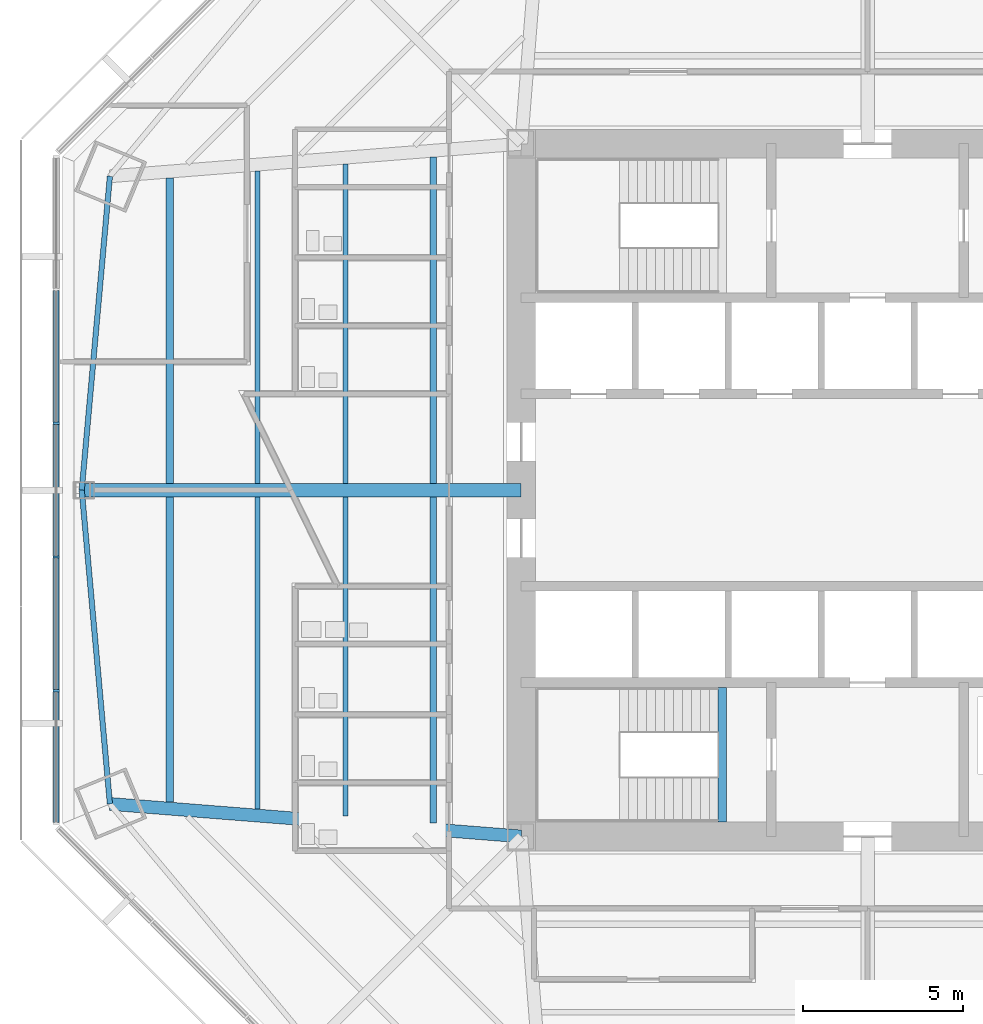
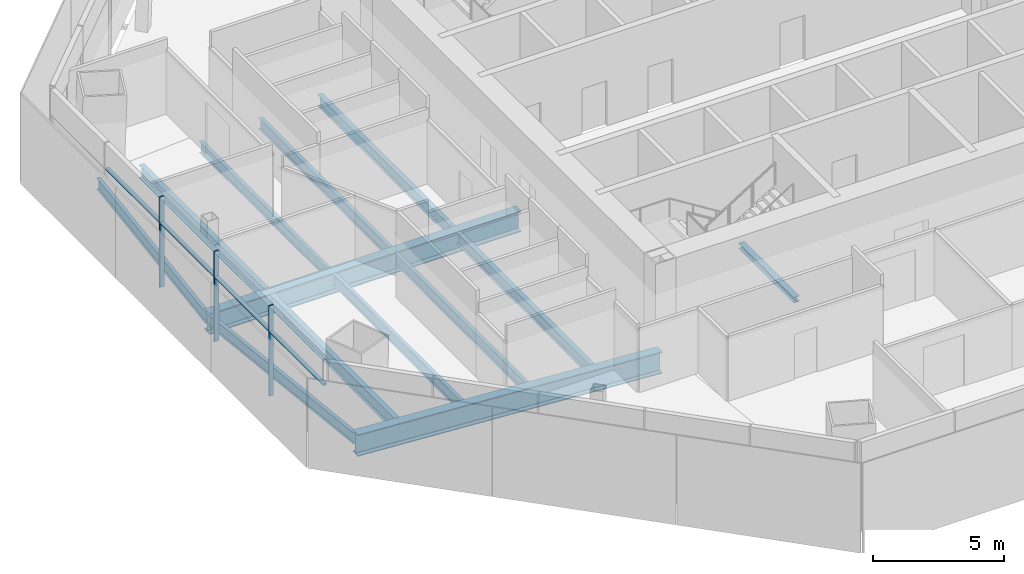
# One storey, part 3 of 16: 13 beams, 7 members, 1 element without a shape of its own.
"""IFC4 building model written with IfcOpenShell, lengths in metres."""

from ifc_helpers import new_model, si_unit, direction, frame, origin, origin_2d, place, context, subcontext, project, spatial, rectangle, i_section, extrude, source, transform, mapped, material, material_profile, profile_set, type_object, type_shapes, element, aggregate, save


model = new_model("IFC4")

# Units and contexts
model_context = context("Model", 3, precision=1e-05, world=origin(), true_north=direction((0.0, 1.0)))
body_context = subcontext(model_context, "Body", "Model", "MODEL_VIEW")
ifc_project = project(units=[si_unit("LENGTHUNIT", "METRE"), si_unit("AREAUNIT", "SQUARE_METRE"), si_unit("VOLUMEUNIT", "CUBIC_METRE"), si_unit("PLANEANGLEUNIT", "RADIAN"), si_unit("MASSUNIT", "GRAM", prefix="KILO")], contexts=[model_context])

# Site, building, storey
site_placement = place(None, origin())
site = spatial("IfcSite", under=ifc_project, at=site_placement, CompositionType="ELEMENT")
building_placement = place(site_placement, origin())
building = spatial("IfcBuilding", under=site, at=building_placement, Name="Mashrafa Tower", CompositionType="ELEMENT")
storey_placement = place(building_placement, frame((0.0, 0.0, 96.0)))
storey = spatial("IfcBuildingStorey", under=building, at=storey_placement, Name="L21", CompositionType="ELEMENT", Elevation=96.0)

# Beams
ifc_material_1 = material(Name="Steel ASTM A992", Category="steel")
ifc_material_profile_1 = material_profile(ifc_material_1, i_section(OverallWidth=0.1650390625, OverallDepth=0.52587890625, WebThickness=0.0087890625, FlangeThickness=0.011474609375, FilletRadius=0.0126953125, at=origin_2d()), Name="W21X44")
ifc_profile_set_1 = profile_set([ifc_material_profile_1], Name="Steel ASTM A992")
beam_type_1 = type_object("IfcBeamType", Name="Beam W21X44", PredefinedType="BEAM", material=ifc_profile_set_1)
for number, where, z_axis, x_axis, name in (
    (1, (-19.022216796875, -9.948486328125, -0.427978515625), (0.0, 1.0, 0.0), (-1.0, 0.0, 0.0), "Floor beam L21 004"),
    (2, (-19.022216796875, 0.212158203125, -0.427978515625), (0.0, 1.0, 0.0), (-1.0, 0.0, 0.0), "Floor beam L21 005"),
):
    element("IfcBeam", number, at=place(storey_placement, frame(where, z_axis=z_axis, x_axis=x_axis)), inside=storey, type_object=beam_type_1, Name=name, PredefinedType="BEAM", context=body_context, shape_type="SweptSolid", body=[
        extrude(i_section(OverallWidth=0.1650390625, OverallDepth=0.52587890625, WebThickness=0.0087890625, FlangeThickness=0.011474609375, FilletRadius=0.0126953125, at=origin_2d()), origin(), (0.0, 0.0, 1.0), 9.736328125),
    ])
ifc_material_2 = material(Name="Steel ASTM A992", Category="steel")
ifc_material_profile_2 = material_profile(ifc_material_2, i_section(OverallWidth=0.165771484375, OverallDepth=0.5283203125, WebThickness=0.009765625, FlangeThickness=0.013671875, FilletRadius=0.012939453125, at=origin_2d()), Name="W21X50")
ifc_profile_set_2 = profile_set([ifc_material_profile_2], Name="Steel ASTM A992")
beam_type_2 = type_object("IfcBeamType", Name="Beam W21X50", PredefinedType="BEAM", material=ifc_profile_set_2)
for number, where, z_axis, x_axis, name in (
    (3, (-16.281494140625, -10.165283203125, -0.42919921875), (0.0, 1.0, 0.0), (-1.0, 0.0, 0.0), "Floor beam L21 007"),
    (4, (-16.281494140625, 0.212158203125, -0.42919921875), (0.0, 1.0, 0.0), (-1.0, 0.0, 0.0), "Floor beam L21 008"),
):
    element("IfcBeam", number, at=place(storey_placement, frame(where, z_axis=z_axis, x_axis=x_axis)), inside=storey, type_object=beam_type_2, Name=name, PredefinedType="BEAM", context=body_context, shape_type="SweptSolid", body=[
        extrude(i_section(OverallWidth=0.165771484375, OverallDepth=0.5283203125, WebThickness=0.009765625, FlangeThickness=0.013671875, FilletRadius=0.012939453125, at=origin_2d()), origin(), (0.0, 0.0, 1.0), 9.953125),
    ])
for number, where, z_axis, x_axis, name in (
    (5, (-24.503662109375, 0.0, -0.42919921875), (0.089379624328, -0.995997631902, 0.0), (0.995997631902, 0.089379624328, 0.0), "Spandrel beam L21 073"),
    (6, (-23.62548828125, 9.785888671875, -0.42919921875), (-0.089379624328, -0.995997631902, 0.0), (0.995997631902, -0.089379624328, 0.0), "Spandrel beam L21 075"),
):
    element("IfcBeam", number, at=place(storey_placement, frame(where, z_axis=z_axis, x_axis=x_axis)), inside=storey, type_object=beam_type_2, Name=name, PredefinedType="BEAM", context=body_context, shape_type="SweptSolid", body=[
        extrude(i_section(OverallWidth=0.165771484375, OverallDepth=0.5283203125, WebThickness=0.009765625, FlangeThickness=0.013671875, FilletRadius=0.012939453125, at=origin_2d()), origin(), (0.0, 0.0, 1.0), 9.8251953125),
    ])
ifc_material_3 = material(Name="Steel ASTM A992", Category="steel")
ifc_material_profile_3 = material_profile(ifc_material_3, i_section(OverallWidth=0.209228515625, OverallDepth=0.533447265625, WebThickness=0.01025390625, FlangeThickness=0.015625, FilletRadius=0.012939453125, at=origin_2d()), Name="W21X62")
ifc_profile_set_3 = profile_set([ifc_material_profile_3], Name="Steel ASTM A992")
beam_type_3 = type_object("IfcBeamType", Name="Beam W21X62", PredefinedType="BEAM", material=ifc_profile_set_3)
for number, where, z_axis, x_axis, name in (
    (7, (-13.540771484375, -10.382080078125, -0.431640625), (0.0, 1.0, 0.0), (-1.0, 0.0, 0.0), "Floor beam L21 014"),
    (8, (-13.540771484375, 0.212158203125, -0.431640625), (0.0, 1.0, 0.0), (-1.0, 0.0, 0.0), "Floor beam L21 015"),
):
    element("IfcBeam", number, at=place(storey_placement, frame(where, z_axis=z_axis, x_axis=x_axis)), inside=storey, type_object=beam_type_3, Name=name, PredefinedType="BEAM", context=body_context, shape_type="SweptSolid", body=[
        extrude(i_section(OverallWidth=0.209228515625, OverallDepth=0.533447265625, WebThickness=0.01025390625, FlangeThickness=0.015625, FilletRadius=0.012939453125, at=origin_2d()), origin(), (0.0, 0.0, 1.0), 10.169921875),
    ])
ifc_material_4 = material(Name="Steel ASTM A992", Category="steel")
ifc_material_profile_4 = material_profile(ifc_material_4, i_section(OverallWidth=0.227783203125, OverallDepth=0.60205078125, WebThickness=0.010498046875, FlangeThickness=0.014892578125, FilletRadius=0.012939453125, at=origin_2d()), Name="W24X68")
ifc_profile_set_4 = profile_set([ifc_material_profile_4], Name="Steel ASTM A992")
beam_type_4 = type_object("IfcBeamType", Name="Beam W24X68", PredefinedType="BEAM", material=ifc_profile_set_4)
for number, where, z_axis, x_axis, name in (
    (9, (-21.762939453125, -9.73193359375, -0.466064453125), (0.0, 1.0, 0.0), (-1.0, 0.0, 0.0), "Floor beam L21 001"),
    (10, (-21.762939453125, 0.212158203125, -0.466064453125), (0.0, 1.0, 0.0), (-1.0, 0.0, 0.0), "Floor beam L21 002"),
):
    element("IfcBeam", number, at=place(storey_placement, frame(where, z_axis=z_axis, x_axis=x_axis)), inside=storey, type_object=beam_type_4, Name=name, PredefinedType="BEAM", context=body_context, shape_type="SweptSolid", body=[
        extrude(i_section(OverallWidth=0.227783203125, OverallDepth=0.60205078125, WebThickness=0.010498046875, FlangeThickness=0.014892578125, FilletRadius=0.012939453125, at=origin_2d()), origin(), (0.0, 0.0, 1.0), 9.519775390625),
    ])
ifc_material_5 = material(Name="Steel ASTM A992", Category="steel")
ifc_material_profile_5 = material_profile(ifc_material_5, i_section(OverallWidth=0.424072265625, OverallDepth=0.960205078125, WebThickness=0.028564453125, FlangeThickness=0.051025390625, FilletRadius=0.02001953125, at=origin_2d()), Name="W36X361")
ifc_profile_set_5 = profile_set([ifc_material_profile_5], Name="Steel ASTM A992")
beam_type_5 = type_object("IfcBeamType", Name="Beam W36X361", PredefinedType="BEAM", material=ifc_profile_set_5)
beam_1_placement = place(storey_placement, frame((-10.800048828125, 0.0, -0.64501953125), z_axis=(-1.0, 0.0, 0.0), x_axis=(0.0, -1.0, 0.0)))
element("IfcBeam", 11, at=beam_1_placement, inside=storey, type_object=beam_type_5, Name="Radial girder L21 060", PredefinedType="BEAM", context=body_context, shape_type="SweptSolid", body=[
    extrude(i_section(OverallWidth=0.424072265625, OverallDepth=0.960205078125, WebThickness=0.028564453125, FlangeThickness=0.051025390625, FilletRadius=0.02001953125, at=origin_2d()), origin(), (0.0, 0.0, 1.0), 13.70361328125),
])
ifc_material_6 = material(Name="Steel ASTM A992", Category="steel")
ifc_material_profile_6 = material_profile(ifc_material_6, i_section(OverallWidth=0.4013671875, OverallDepth=1.010986328125, WebThickness=0.023681640625, FlangeThickness=0.0419921875, FilletRadius=0.02001953125, at=origin_2d()), Name="W40X297")
ifc_profile_set_6 = profile_set([ifc_material_profile_6], Name="Steel ASTM A992")
beam_type_6 = type_object("IfcBeamType", Name="Beam W40X297", PredefinedType="BEAM", material=ifc_profile_set_6)
beam_2_placement = place(storey_placement, frame((-10.800048828125, -10.800048828125, -0.67041015625), z_axis=(-0.996888228081, 0.078828045218, 0.0), x_axis=(-0.078828045218, -0.996888228081, 0.0)))
element("IfcBeam", 12, at=beam_2_placement, inside=storey, type_object=beam_type_6, Name="Radial girder L21 057", PredefinedType="BEAM", context=body_context, shape_type="SweptSolid", body=[
    extrude(i_section(OverallWidth=0.4013671875, OverallDepth=1.010986328125, WebThickness=0.023681640625, FlangeThickness=0.0419921875, FilletRadius=0.02001953125, at=origin_2d()), origin(), (0.0, 0.0, 1.0), 12.865478515625),
])
ifc_material_7 = material(Name="Steel ASTM A992", Category="steel")
ifc_material_profile_7 = material_profile(ifc_material_7, i_section(OverallWidth=0.25390625, OverallDepth=0.25390625, WebThickness=0.008544921875, FlangeThickness=0.01416015625, FilletRadius=0.010009765625, at=origin_2d()), Name="W10X49")
ifc_profile_set_7 = profile_set([ifc_material_profile_7], Name="Steel ASTM A992")
beam_type_7 = type_object("IfcBeamType", Name="Hoistway beam W10X49", PredefinedType="BEAM", material=ifc_profile_set_7)
beam_3_placement = place(storey_placement, frame((-4.530029296875, -10.35009765625, -0.326904296875), z_axis=(0.0, 1.0, 0.0), x_axis=(-1.0, 0.0, 0.0)))
element("IfcBeam", 13, at=beam_3_placement, inside=storey, type_object=beam_type_7, Name="Stair S3 landing beam L21", PredefinedType="BEAM", context=body_context, shape_type="SweptSolid", body=[
    extrude(i_section(OverallWidth=0.25390625, OverallDepth=0.25390625, WebThickness=0.008544921875, FlangeThickness=0.01416015625, FilletRadius=0.010009765625, at=origin_2d()), origin(), (0.0, 0.0, 1.0), 4.2001953125),
])

# Curtain wall, members
ifc_material_8 = material(Name="Unitised aluminium curtain wall", Category="aluminium")
curtain_wall_type = type_object("IfcCurtainWallType", Name="Office curtain wall, zone 1 CW-A 200 deep", PredefinedType="NOTDEFINED", material=ifc_material_8)
curtain_wall_placement = place(storey_placement, origin())
curtain_wall = element("IfcCurtainWall", 14, at=curtain_wall_placement, inside=storey, type_object=curtain_wall_type, Name="Office curtain wall, zone 1 L21 west", PredefinedType="NOTDEFINED")
ifc_material_9 = material(Name="Extruded aluminium mullion", Category="aluminium")
ifc_material_profile_8 = material_profile(ifc_material_9, rectangle(XDim=0.199951171875, YDim=0.06494140625, at=origin_2d()), Name="Mullion 65x200")
ifc_profile_set_8 = profile_set([ifc_material_profile_8], Name="Extruded aluminium mullion")
member_type_1 = type_object("IfcMemberType", Name="Mullion CW-A 65 x 200", PredefinedType="MULLION", material=ifc_profile_set_8)
shared_shape_1 = source(origin(), body_context, "Body", "SweptSolid", [
    extrude(rectangle(XDim=0.199951171875, YDim=0.06494140625, at=origin_2d()), origin(), (0.0, 0.0, 1.0), 4.199951171875),
])
type_shapes(member_type_1, [shared_shape_1])
member_1_placement = place(storey_placement, frame((-25.299072265625, 2.08544921875, 0.0), z_axis=(0.0, 0.0, 1.0), x_axis=(1.0, 0.0, 0.0)))
member_1 = element("IfcMember", 15, at=member_1_placement, type_object=member_type_1, Name="CW-A mullion 3", PredefinedType="MULLION", context=body_context, shape_type="MappedRepresentation", body=[
    mapped(shared_shape_1, transform((0.0, 0.0, 0.0))),
])
member_2_placement = place(storey_placement, frame((-25.299072265625, -2.08544921875, 0.0), z_axis=(0.0, 0.0, 1.0), x_axis=(1.0, 0.0, 0.0)))
member_2 = element("IfcMember", 16, at=member_2_placement, type_object=member_type_1, Name="CW-A mullion 4", PredefinedType="MULLION", context=body_context, shape_type="MappedRepresentation", body=[
    mapped(shared_shape_1, transform((0.0, 0.0, 0.0))),
])
member_3_placement = place(storey_placement, frame((-25.299072265625, -6.256591796875, 0.0), z_axis=(0.0, 0.0, 1.0), x_axis=(1.0, 0.0, 0.0)))
member_3 = element("IfcMember", 17, at=member_3_placement, type_object=member_type_1, Name="CW-A mullion 5", PredefinedType="MULLION", context=body_context, shape_type="MappedRepresentation", body=[
    mapped(shared_shape_1, transform((0.0, 0.0, 0.0))),
])
ifc_material_10 = material(Name="Extruded aluminium transom", Category="aluminium")
ifc_material_profile_9 = material_profile(ifc_material_10, rectangle(XDim=0.159912109375, YDim=0.080078125, at=origin_2d()), Name="Transom 80x160")
ifc_profile_set_9 = profile_set([ifc_material_profile_9], Name="Extruded aluminium transom")
member_type_2 = type_object("IfcMemberType", Name="Transom CW-A 80 x 160", PredefinedType="MULLION", material=ifc_profile_set_9)
shared_shape_2 = source(origin(), body_context, "Body", "SweptSolid", [
    extrude(rectangle(XDim=0.159912109375, YDim=0.080078125, at=origin_2d()), origin(), (0.0, 0.0, 1.0), 4.07373046875),
])
member_4_placement = place(storey_placement, frame((-25.299072265625, -6.2890625, 3.0), z_axis=(0.0, -1.0, 0.0), x_axis=(1.0, 0.0, 0.0)))
member_4 = element("IfcMember", 18, at=member_4_placement, type_object=member_type_2, Name="CW-A transom 5", PredefinedType="MULLION", context=body_context, shape_type="MappedRepresentation", body=[
    mapped(shared_shape_2, transform((0.0, 0.0, 0.0))),
])
shared_shape_3 = source(origin(), body_context, "Body", "SweptSolid", [
    extrude(rectangle(XDim=0.159912109375, YDim=0.080078125, at=origin_2d()), origin(), (0.0, 0.0, 1.0), 4.10595703125),
])
type_shapes(member_type_2, [shared_shape_2, shared_shape_3])
member_5_placement = place(storey_placement, frame((-25.299072265625, 6.22412109375, 3.0), z_axis=(0.0, -1.0, 0.0), x_axis=(1.0, 0.0, 0.0)))
member_5 = element("IfcMember", 19, at=member_5_placement, type_object=member_type_2, Name="CW-A transom 2", PredefinedType="MULLION", context=body_context, shape_type="MappedRepresentation", body=[
    mapped(shared_shape_3, transform((0.0, 0.0, 0.0))),
])
member_6_placement = place(storey_placement, frame((-25.299072265625, 2.052978515625, 3.0), z_axis=(0.0, -1.0, 0.0), x_axis=(1.0, 0.0, 0.0)))
member_6 = element("IfcMember", 20, at=member_6_placement, type_object=member_type_2, Name="CW-A transom 3", PredefinedType="MULLION", context=body_context, shape_type="MappedRepresentation", body=[
    mapped(shared_shape_3, transform((0.0, 0.0, 0.0))),
])
member_7_placement = place(storey_placement, frame((-25.299072265625, -2.1181640625, 3.0), z_axis=(0.0, -1.0, 0.0), x_axis=(1.0, 0.0, 0.0)))
member_7 = element("IfcMember", 21, at=member_7_placement, type_object=member_type_2, Name="CW-A transom 4", PredefinedType="MULLION", context=body_context, shape_type="MappedRepresentation", body=[
    mapped(shared_shape_3, transform((0.0, 0.0, 0.0))),
])
aggregate(curtain_wall, [member_1, member_2, member_3, member_5, member_6, member_7, member_4])

save(model, "model.ifc")
